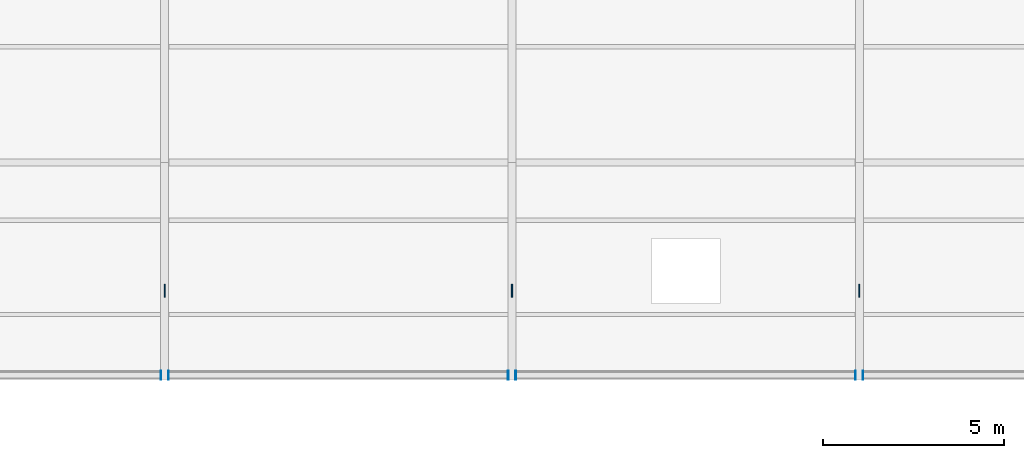
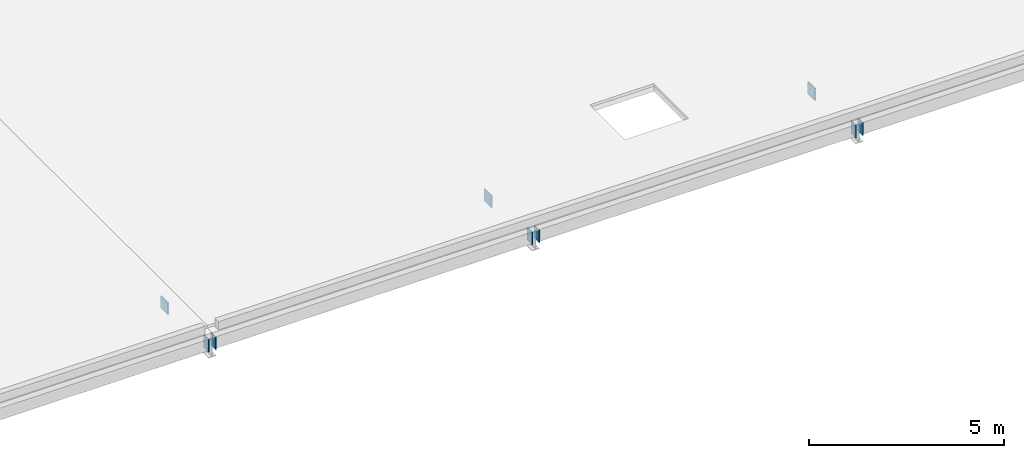
# One storey, part 128 of 159: 9 plates.
"""IFC4 building model written with IfcOpenShell, lengths in metres."""

from ifc_helpers import new_model, si_unit, direction, frame, origin, origin_2d, place, context, subcontext, project, spatial, rectangle, extrude, material, layer, layer_set, type_object, element, save


model = new_model("IFC4")

# Units and contexts
model_context = context("Model", 3, precision=1e-05, world=origin(), true_north=direction((0.0, 1.0)))
body_context = subcontext(model_context, "Body", "Model", "MODEL_VIEW")
ifc_project = project(units=[si_unit("LENGTHUNIT", "METRE"), si_unit("AREAUNIT", "SQUARE_METRE"), si_unit("VOLUMEUNIT", "CUBIC_METRE"), si_unit("PLANEANGLEUNIT", "RADIAN"), si_unit("MASSUNIT", "GRAM", prefix="KILO")], contexts=[model_context])

# Site, building, storey
site_placement = place(None, origin())
site = spatial("IfcSite", under=ifc_project, at=site_placement, CompositionType="ELEMENT")
building_placement = place(site_placement, origin())
building = spatial("IfcBuilding", under=site, at=building_placement, Name="Merenkruunu Market Hall", CompositionType="ELEMENT")
storey_placement = place(building_placement, frame((0.0, 0.0, 5.39990234375)))
storey = spatial("IfcBuildingStorey", under=building, at=storey_placement, Name="L01", CompositionType="ELEMENT", Elevation=5.39990234375)

# Plates
ifc_material = material(Name="Steel S355ML", Category="steel")
ifc_layer_1 = layer(ifc_material, 0.02001953125)
ifc_layer_set_1 = layer_set([ifc_layer_1], Name="Steel S355ML")
plate_type_1 = type_object("IfcPlateType", Name="Truss Gusset Or Cap Plate CP07", PredefinedType="USERDEFINED", material=ifc_layer_set_1)
for number, where, z_axis, x_axis, name in (
    (1, (28.697021484375, 0.1201171875, 0.03515625), (0.0, 0.0, 1.0), (1.0, 0.0, 0.0), "PLT-V6-ENDCAP-06"),
    (2, (28.903076171875, 0.1201171875, 0.03515625), (0.0, 0.0, 1.0), (1.0, 0.0, 0.0), "PLT-V6-ENDCAP-07"),
    (3, (38.297119140625, 0.1201171875, 0.03515625), (0.0, 0.0, 1.0), (1.0, 0.0, 0.0), "PLT-V6-ENDCAP-08"),
    (4, (38.5029296875, 0.1201171875, 0.03515625), (0.0, 0.0, 1.0), (1.0, 0.0, 0.0), "PLT-V6-ENDCAP-09"),
    (5, (47.89697265625, 0.1201171875, 0.03515625), (0.0, 0.0, 1.0), (1.0, 0.0, 0.0), "PLT-V6-ENDCAP-10"),
    (6, (48.10302734375, 0.1201171875, 0.03515625), (0.0, 0.0, 1.0), (1.0, 0.0, 0.0), "PLT-V6-ENDCAP-11"),
):
    element("IfcPlate", number, at=place(storey_placement, frame(where, z_axis=z_axis, x_axis=x_axis)), inside=storey, type_object=plate_type_1, Name=name, ObjectType="GUSSET_PLATE", PredefinedType="USERDEFINED", context=body_context, shape_type="SweptSolid", body=[
        extrude(rectangle(XDim=0.02001953125, YDim=0.260009765625, at=origin_2d()), origin(), (0.0, 0.0, 1.0), 0.39990234375),
    ])
ifc_layer_2 = layer(ifc_material, 0.035888671875)
ifc_layer_set_2 = layer_set([ifc_layer_2], Name="Steel S355ML")
plate_type_2 = type_object("IfcPlateType", Name="Truss Gusset Or Cap Plate CP08", PredefinedType="USERDEFINED", material=ifc_layer_set_2)
for number, where, z_axis, x_axis, name in (
    (7, (28.800048828125, 2.449951171875, -0.2099609375), (0.0, 0.0, 1.0), (1.0, 0.0, 0.0), "PLT-V6-STRUT-029-B"),
    (8, (38.39990234375, 2.449951171875, -0.2099609375), (0.0, 0.0, 1.0), (1.0, 0.0, 0.0), "PLT-V6-STRUT-038-B"),
    (9, (48.0, 2.449951171875, -0.2099609375), (0.0, 0.0, 1.0), (1.0, 0.0, 0.0), "PLT-V6-STRUT-048-B"),
):
    element("IfcPlate", number, at=place(storey_placement, frame(where, z_axis=z_axis, x_axis=x_axis)), inside=storey, type_object=plate_type_2, Name=name, ObjectType="GUSSET_PLATE", PredefinedType="USERDEFINED", context=body_context, shape_type="SweptSolid", body=[
        extrude(rectangle(XDim=0.035888671875, YDim=0.360107421875, at=origin_2d()), origin(), (0.0, 0.0, 1.0), 0.3798828125),
    ])

save(model, "model.ifc")
